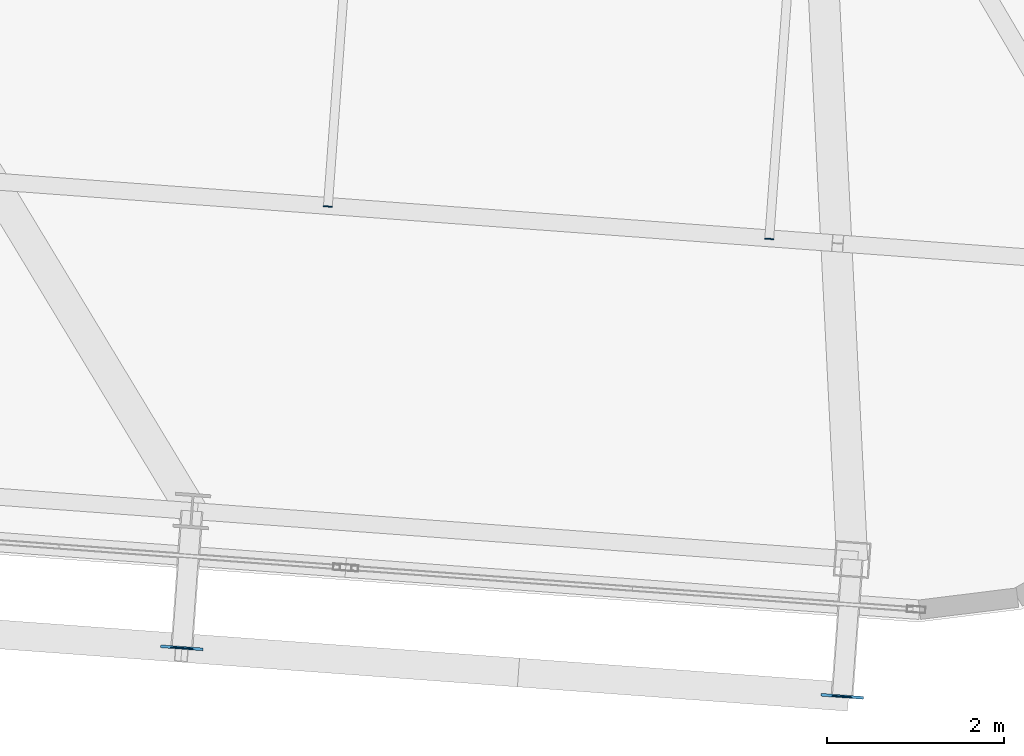
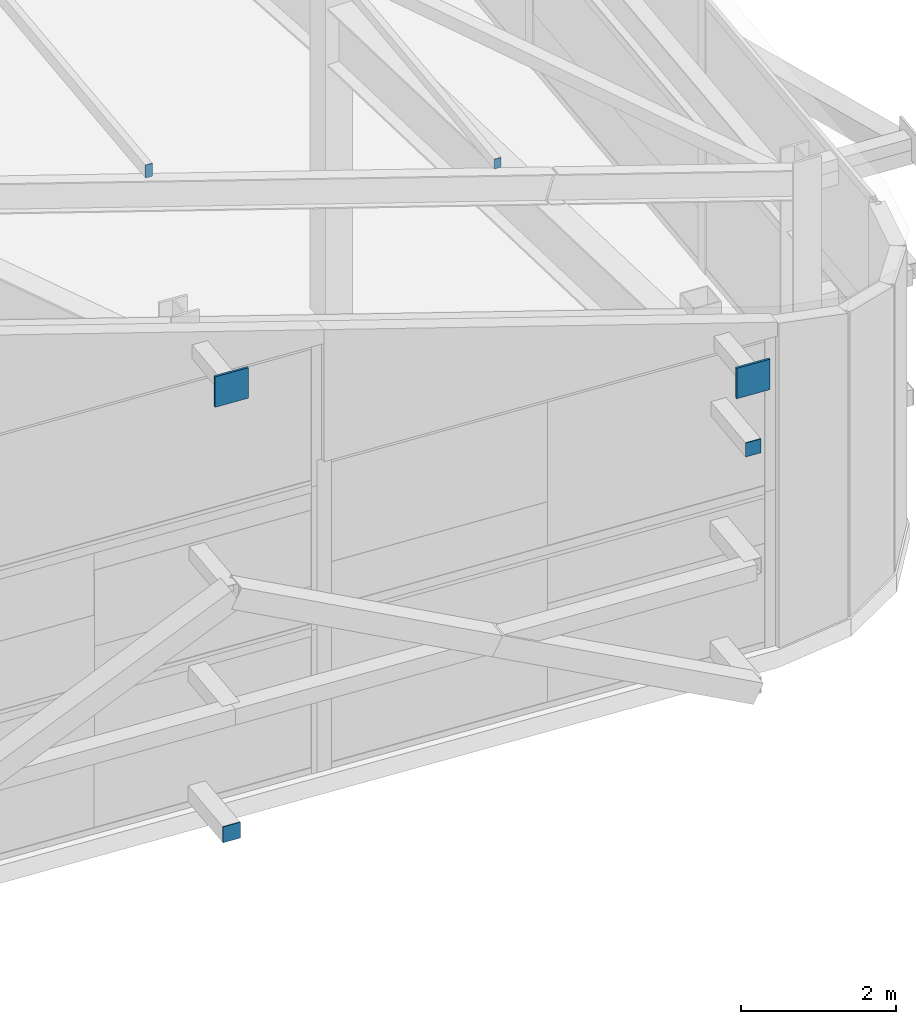
# One storey, part 47 of 56: 6 plates.
"""IFC4 building model written with IfcOpenShell, lengths in metres."""

from ifc_helpers import new_model, si_unit, direction, frame, origin, origin_2d, place, context, subcontext, project, spatial, rectangle, extrude, source, transform, mapped, material, layer, layer_set, type_object, element, save


model = new_model("IFC4")

# Units and contexts
model_context = context("Model", 3, precision=1e-05, world=origin(), true_north=direction((0.0, 1.0)))
body_context = subcontext(model_context, "Body", "Model", "MODEL_VIEW")
ifc_project = project(units=[si_unit("LENGTHUNIT", "METRE"), si_unit("AREAUNIT", "SQUARE_METRE"), si_unit("VOLUMEUNIT", "CUBIC_METRE"), si_unit("PLANEANGLEUNIT", "RADIAN"), si_unit("MASSUNIT", "GRAM", prefix="KILO")], contexts=[model_context])

# Site, building, storey
site_placement = place(None, origin())
site = spatial("IfcSite", under=ifc_project, at=site_placement, CompositionType="ELEMENT")
building_placement = place(site_placement, origin())
building = spatial("IfcBuilding", under=site, at=building_placement, Name="Taldren Reach Tower", CompositionType="ELEMENT")
storey_placement = place(building_placement, frame((0.0, 0.0, 253.050048828125)))
storey = spatial("IfcBuildingStorey", under=building, at=storey_placement, Name="L77", CompositionType="ELEMENT", Elevation=253.050048828125)

# Plates
ifc_material_1 = material(Name="Steel Gr 350 (C350L0)", Category="steel")
ifc_layer_1 = layer(ifc_material_1, 0.011962890625)
ifc_layer_set_1 = layer_set([ifc_layer_1], Name="Steel Gr 350 (C350L0)")
plate_type_1 = type_object("IfcPlateType", Name="PL-CAP-250", PredefinedType="SHEET", material=ifc_layer_set_1)
shared_shape_1 = source(origin(), body_context, "Body", "SweptSolid", [
    extrude(rectangle(XDim=0.25, YDim=0.011962890625, at=origin_2d()), origin(), (0.0, 0.0, 1.0), 0.25),
])
plate_1_placement = place(storey_placement, frame((44.866455078125, 2.717041015625, 0.094970703125), z_axis=(0.0, 0.0, 1.0), x_axis=(0.997314477224, -0.073238197128, 0.0)))
element("IfcPlate", 1, at=plate_1_placement, inside=storey, type_object=plate_type_1, Name="Tie strut end cap plate B5-S5 L77", PredefinedType="SHEET", context=body_context, shape_type="MappedRepresentation", body=[
    mapped(shared_shape_1, transform((0.0, 0.0, 0.0), scale=1.0)),
])
ifc_material_2 = material(Name="Steel Gr 450 (C450L0)", Category="steel")
ifc_layer_2 = layer(ifc_material_2, 0.031982421875)
ifc_layer_set_2 = layer_set([ifc_layer_2], Name="Steel Gr 450 (C450L0)")
plate_type_2 = type_object("IfcPlateType", Name="PL-GUSSET-32", PredefinedType="SHEET", material=ifc_layer_set_2)
shared_shape_2 = source(origin(), body_context, "Body", "SweptSolid", [
    extrude(rectangle(XDim=0.47998046875, YDim=0.031982421875, at=origin_2d()), origin(), (0.0, 0.0, 1.0), 0.47998046875),
])
for number, where, z_axis, x_axis, name in (
    (2, (44.86669921875, 2.72314453125, 6.99365234375), (0.0, 0.0, 1.0), (0.997314477224, -0.073238197128, 0.0), "Exoskeleton star-node gusset plate B5-S5 L77"),
    (3, (52.32666015625, 2.17529296875, 4.849365234375), (0.0, 0.0, 1.0), (0.997314477224, -0.073238197128, 0.0), "Exoskeleton star-node gusset plate B5-S6 L77"),
):
    element("IfcPlate", number, at=place(storey_placement, frame(where, z_axis=z_axis, x_axis=x_axis)), inside=storey, type_object=plate_type_2, Name=name, PredefinedType="SHEET", context=body_context, shape_type="MappedRepresentation", body=[
        mapped(shared_shape_2, transform((0.0, 0.0, 0.0), scale=1.0)),
    ])
ifc_layer_3 = layer(ifc_material_2, 0.011962890625)
ifc_layer_set_3 = layer_set([ifc_layer_3], Name="Steel Gr 450 (C450L0)")
plate_type_3 = type_object("IfcPlateType", Name="PL-CAP-220", PredefinedType="SHEET", material=ifc_layer_set_3)
shared_shape_3 = source(origin(), body_context, "Body", "SweptSolid", [
    extrude(rectangle(XDim=0.219970703125, YDim=0.011962890625, at=origin_2d()), origin(), (0.0, 0.0, 1.0), 0.219970703125),
])
plate_2_placement = place(storey_placement, frame((52.326171875, 2.169189453125, 3.89013671875), z_axis=(0.0, 0.0, 1.0), x_axis=(0.997314477224, -0.073238197128, 0.0)))
element("IfcPlate", 4, at=plate_2_placement, inside=storey, type_object=plate_type_3, Name="Tie strut end cap plate B5-S6 L77", PredefinedType="SHEET", context=body_context, shape_type="MappedRepresentation", body=[
    mapped(shared_shape_3, transform((0.0, 0.0, 0.0), scale=1.0)),
])
ifc_layer_4 = layer(ifc_material_1, 0.011962890625)
ifc_layer_set_4 = layer_set([ifc_layer_4], Name="Steel Gr 350 (C350L0)")
plate_type_4 = type_object("IfcPlateType", Name="PL-CAP-100X200", PredefinedType="SHEET", material=ifc_layer_set_4)
shared_shape_4 = source(origin(), body_context, "Body", "SweptSolid", [
    extrude(rectangle(XDim=0.10009765625, YDim=0.011962890625, at=origin_2d()), origin(), (0.0, 0.0, 1.0), 0.199951171875),
])
plate_3_placement = place(storey_placement, frame((46.516357421875, 7.709716796875, 6.9423828125), z_axis=(0.0, 0.0, 1.0), x_axis=(0.997314477224, -0.073238197128, 0.0)))
element("IfcPlate", 5, at=plate_3_placement, inside=storey, type_object=plate_type_4, Name="Crown roof purlin end cap plate PR-7.1", PredefinedType="SHEET", context=body_context, shape_type="MappedRepresentation", body=[
    mapped(shared_shape_4, transform((0.0, 0.0, 0.0), scale=1.0)),
])
ifc_layer_5 = layer(ifc_material_1, 0.011962890625)
ifc_layer_set_5 = layer_set([ifc_layer_5], Name="Steel Gr 350 (C350L0)")
plate_type_5 = type_object("IfcPlateType", Name="PL-CAP-100X150", PredefinedType="SHEET", material=ifc_layer_set_5)
shared_shape_5 = source(origin(), body_context, "Body", "SweptSolid", [
    extrude(rectangle(XDim=0.10009765625, YDim=0.011962890625, at=origin_2d()), origin(), (0.0, 0.0, 1.0), 0.14990234375),
])
plate_4_placement = place(storey_placement, frame((51.5029296875, 7.343505859375, 5.560302734375), z_axis=(0.0, 0.0, 1.0), x_axis=(0.997314477224, -0.073238197128, 0.0)))
element("IfcPlate", 6, at=plate_4_placement, inside=storey, type_object=plate_type_5, Name="Crown roof purlin end cap plate PR-8.1", PredefinedType="SHEET", context=body_context, shape_type="MappedRepresentation", body=[
    mapped(shared_shape_5, transform((0.0, 0.0, 0.0), scale=1.0)),
])

save(model, "model.ifc")
